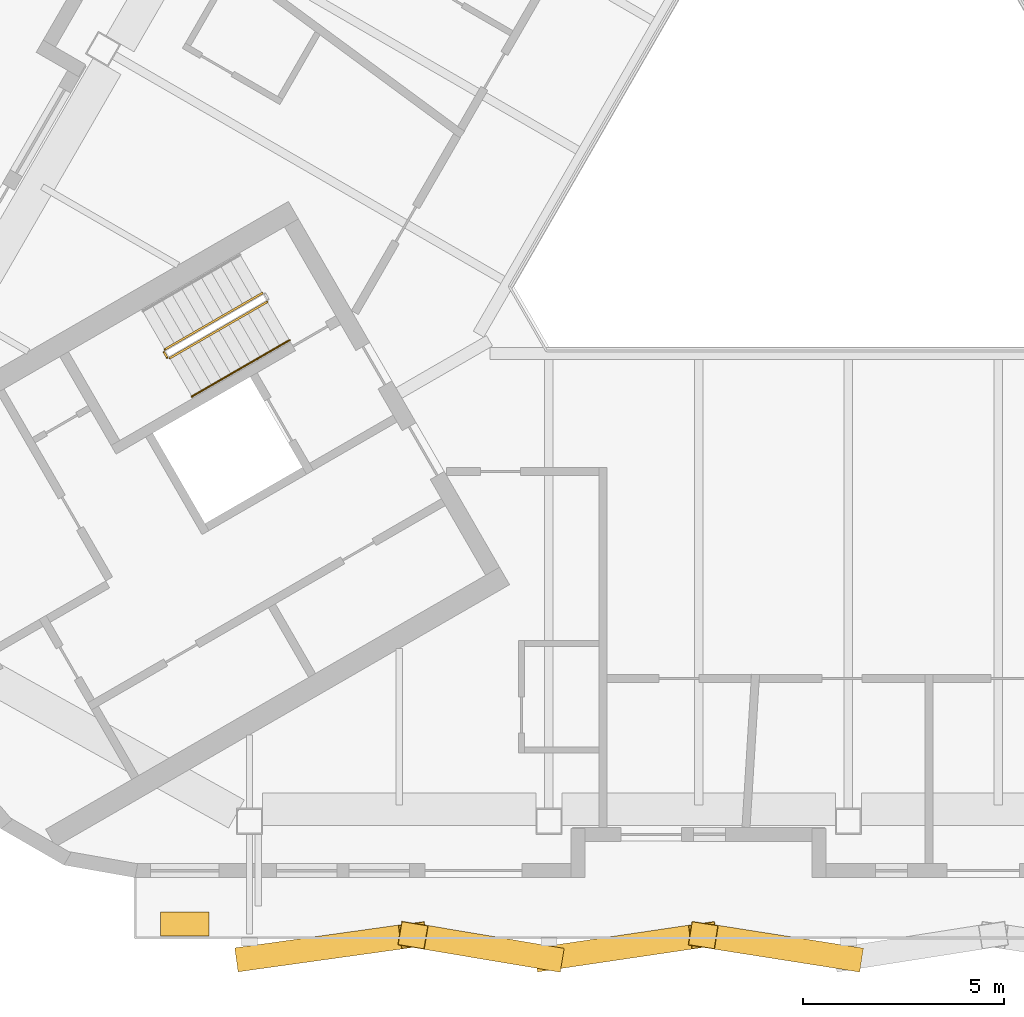
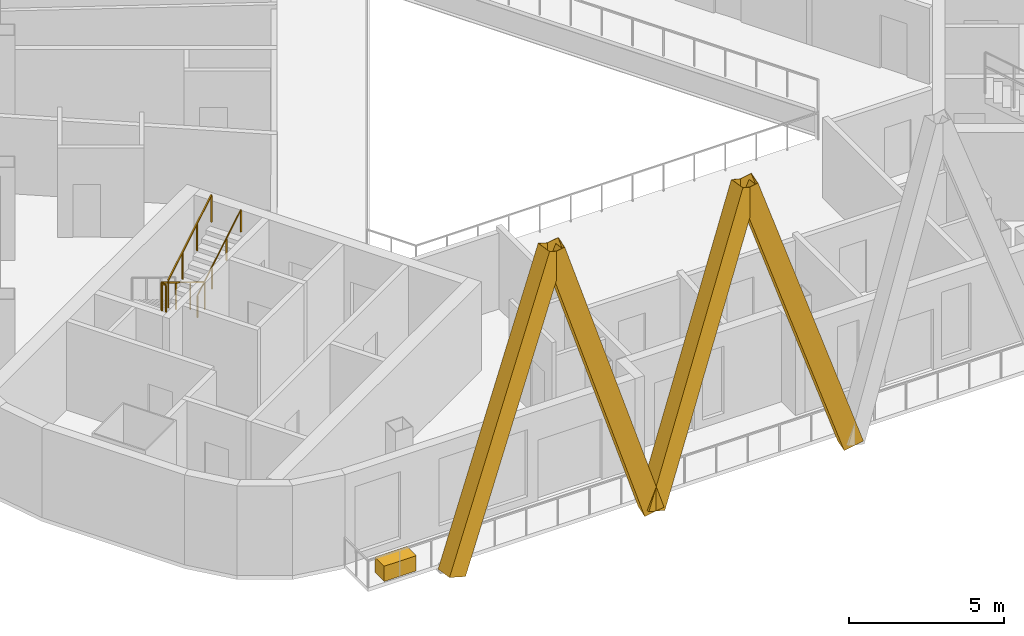
# One storey, part 9 of 14: 4 railings, 4 shading devices, 1 covering.
"""IFC4 building model written with IfcOpenShell, lengths in metres."""

from ifc_helpers import new_model, si_unit, direction, frame, origin, origin_2d, place, context, subcontext, project, spatial, rectangle, hollow_rectangle, circle, extrude, material, material_profile, profile_set, type_object, element, save


model = new_model("IFC4")

# Units and contexts
model_context = context("Model", 3, precision=1e-05, world=origin(), true_north=direction((0.0, 1.0)))
body_context = subcontext(model_context, "Body", "Model", "MODEL_VIEW")
ifc_project = project(units=[si_unit("LENGTHUNIT", "METRE"), si_unit("AREAUNIT", "SQUARE_METRE"), si_unit("VOLUMEUNIT", "CUBIC_METRE"), si_unit("PLANEANGLEUNIT", "RADIAN"), si_unit("MASSUNIT", "GRAM", prefix="KILO")], contexts=[model_context])

# Site, building, storey
site_placement = place(None, origin())
site = spatial("IfcSite", under=ifc_project, at=site_placement, CompositionType="ELEMENT")
building_placement = place(site_placement, origin())
building = spatial("IfcBuilding", under=site, at=building_placement, Name="Apuvela Tower Hotel", CompositionType="ELEMENT")
storey_placement = place(building_placement, frame((0.0, 0.0, 268.89990234375)))
storey = spatial("IfcBuildingStorey", under=building, at=storey_placement, Name="L66", CompositionType="ELEMENT", Elevation=268.89990234375)

# Railings
ifc_material_1 = material(Name="Steel S275 balustrade", Category="steel")
railing_type_1 = type_object("IfcRailingType", Name="COR-GUARD-1100", PredefinedType="GUARDRAIL", material=ifc_material_1)
railing_1_placement = place(storey_placement, frame((-14.569091796875, -3.9658203125, 0.168212890625)))
element("IfcRailing", 1, at=railing_1_placement, inside=storey, type_object=railing_type_1, Name="L66 ST2 stair guard 1", PredefinedType="GUARDRAIL", context=body_context, shape_type="SweptSolid", body=[
    extrude(rectangle(XDim=0.048095703125, YDim=0.048095703125, at=origin_2d()), frame((0.0, 0.0, 1.076171875), z_axis=(-0.742390482028, -0.42860119049, 0.514934356695), x_axis=(0.49998411664, -0.866034573852, 0.0)), (0.0, 0.0, 1.0), 3.26611328125),
    extrude(rectangle(XDim=0.0419921875, YDim=0.0419921875, at=origin_2d()), origin(), (0.0, 0.0, 1.0), 1.052001953125),
    extrude(rectangle(XDim=0.0419921875, YDim=0.0419921875, at=origin_2d()), frame((-0.808349609375, -0.466552734375, 0.560546875)), (0.0, 0.0, 1.0), 1.052001953125),
    extrude(rectangle(XDim=0.0419921875, YDim=0.0419921875, at=origin_2d()), frame((-1.616455078125, -0.933349609375, 1.121337890625)), (0.0, 0.0, 1.0), 1.052001953125),
    extrude(rectangle(XDim=0.0419921875, YDim=0.0419921875, at=origin_2d()), frame((-2.4248046875, -1.39990234375, 1.681884765625)), (0.0, 0.0, 1.0), 1.052001953125),
])
railing_2_placement = place(storey_placement, frame((-17.01220703125, -5.43408203125, 1.85009765625)))
element("IfcRailing", 2, at=railing_2_placement, inside=storey, type_object=railing_type_1, Name="L66 ST2 stair guard 2", PredefinedType="GUARDRAIL", context=body_context, shape_type="SweptSolid", body=[
    extrude(rectangle(XDim=0.048095703125, YDim=0.048095703125, at=origin_2d()), frame((0.0, 0.0, 1.076171875), z_axis=(0.499816412211, -0.866131372301, 0.0), x_axis=(0.866131372301, 0.499816412211, 0.0)), (0.0, 0.0, 1.0), 0.14990234375),
    extrude(rectangle(XDim=0.0419921875, YDim=0.0419921875, at=origin_2d()), origin(), (0.0, 0.0, 1.0), 1.052001953125),
    extrude(rectangle(XDim=0.0419921875, YDim=0.0419921875, at=origin_2d()), frame((0.074951171875, -0.1298828125, 0.0)), (0.0, 0.0, 1.0), 1.052001953125),
])
railing_3_placement = place(storey_placement, frame((-16.868896484375, -5.582275390625, 2.018310546875)))
element("IfcRailing", 3, at=railing_3_placement, inside=storey, type_object=railing_type_1, Name="L66 ST2 stair guard 3", PredefinedType="GUARDRAIL", context=body_context, shape_type="SweptSolid", body=[
    extrude(rectangle(XDim=0.048095703125, YDim=0.048095703125, at=origin_2d()), frame((0.0, 0.0, 1.076171875), z_axis=(0.742390482028, 0.42860119049, 0.514934356695), x_axis=(-0.49998411664, 0.866034573852, 0.0)), (0.0, 0.0, 1.0), 3.26611328125),
    extrude(rectangle(XDim=0.0419921875, YDim=0.0419921875, at=origin_2d()), origin(), (0.0, 0.0, 1.0), 1.052001953125),
    extrude(rectangle(XDim=0.0419921875, YDim=0.0419921875, at=origin_2d()), frame((0.808349609375, 0.466552734375, 0.560546875)), (0.0, 0.0, 1.0), 1.052001953125),
    extrude(rectangle(XDim=0.0419921875, YDim=0.0419921875, at=origin_2d()), frame((1.616455078125, 0.933349609375, 1.121337890625)), (0.0, 0.0, 1.0), 1.052001953125),
    extrude(rectangle(XDim=0.0419921875, YDim=0.0419921875, at=origin_2d()), frame((2.4248046875, 1.39990234375, 1.681884765625)), (0.0, 0.0, 1.0), 1.052001953125),
])
ifc_material_2 = material(Name="Stainless steel 316 handrail", Category="steel")
railing_type_2 = type_object("IfcRailingType", Name="COR-HANDRAIL-900", PredefinedType="HANDRAIL", material=ifc_material_2)
railing_4_placement = place(storey_placement, frame((-16.31884765625, -6.534912109375, 2.018310546875)))
element("IfcRailing", 4, at=railing_4_placement, inside=storey, type_object=railing_type_2, Name="L66 ST2 stair handrail 2", PredefinedType="HANDRAIL", context=body_context, shape_type="SweptSolid", body=[
    extrude(circle(Radius=0.02392578125, at=origin_2d()), frame((0.0, 0.0, 0.8759765625), z_axis=(0.742390482028, 0.42860119049, 0.514934356695), x_axis=(-0.49998411664, 0.866034573852, 0.0)), (0.0, 0.0, 1.0), 3.26611328125),
    extrude(rectangle(XDim=0.0419921875, YDim=0.0419921875, at=origin_2d()), origin(), (0.0, 0.0, 1.0), 0.851806640625),
    extrude(rectangle(XDim=0.0419921875, YDim=0.0419921875, at=origin_2d()), frame((0.808349609375, 0.466552734375, 0.560546875)), (0.0, 0.0, 1.0), 0.851806640625),
    extrude(rectangle(XDim=0.0419921875, YDim=0.0419921875, at=origin_2d()), frame((1.616455078125, 0.933349609375, 1.121337890625)), (0.0, 0.0, 1.0), 0.851806640625),
    extrude(rectangle(XDim=0.0419921875, YDim=0.0419921875, at=origin_2d()), frame((2.4248046875, 1.39990234375, 1.681884765625)), (0.0, 0.0, 1.0), 0.851806640625),
])

# Shading devices
ifc_material_3 = material(Name="Aluminium 6063-T6, black anodised", Category="aluminium")
ifc_material_profile = material_profile(ifc_material_3, hollow_rectangle(XDim=0.60009765625, YDim=0.699951171875, WallThickness=0.011962890625, at=origin_2d()), Name="AL BOX 700x600x12")
ifc_profile_set = profile_set([ifc_material_profile], Name="Aluminium 6063-T6, black anodised")
shading_device_type = type_object("IfcShadingDeviceType", Name="ENV-FIN-700x600", PredefinedType="USERDEFINED", material=ifc_profile_set)
shading_device_1_placement = place(storey_placement, frame((-14.88720703125, -20.495849609375, -0.099853515625), z_axis=(0.343431703445, 0.047924061218, 0.937954129702), x_axis=(-0.138205532075, 0.990403569715, 0.0)))
element("IfcShadingDevice", 5, at=shading_device_1_placement, inside=storey, type_object=shading_device_type, Name="Lattice fin S545", ObjectType="FIN", PredefinedType="USERDEFINED", context=body_context, shape_type="SweptSolid", body=[
    extrude(hollow_rectangle(XDim=0.60009765625, YDim=0.699951171875, WallThickness=0.011962890625, at=origin_2d()), origin(), (0.0, 0.0, 1.0), 11.834228515625),
])
shading_device_2_placement = place(storey_placement, frame((-7.443603515625, -20.495849609375, -0.099853515625), z_axis=(-0.29090724775, 0.048820801656, 0.95550484171), x_axis=(-0.165508034258, -0.986208441759, 0.0)))
element("IfcShadingDevice", 6, at=shading_device_2_placement, inside=storey, type_object=shading_device_type, Name="Lattice fin S546", ObjectType="FIN", PredefinedType="USERDEFINED", context=body_context, shape_type="SweptSolid", body=[
    extrude(hollow_rectangle(XDim=0.60009765625, YDim=0.699951171875, WallThickness=0.011962890625, at=origin_2d()), origin(), (0.0, 0.0, 1.0), 11.61669921875),
])
shading_device_3_placement = place(storey_placement, frame((-7.443603515625, -20.495849609375, -0.099853515625), z_axis=(0.326249792914, 0.048235633206, 0.944052115252), x_axis=(-0.146258864264, 0.989246351838, 0.0)))
element("IfcShadingDevice", 7, at=shading_device_3_placement, inside=storey, type_object=shading_device_type, Name="Lattice fin S547", ObjectType="FIN", PredefinedType="USERDEFINED", context=body_context, shape_type="SweptSolid", body=[
    extrude(hollow_rectangle(XDim=0.60009765625, YDim=0.699951171875, WallThickness=0.011962890625, at=origin_2d()), origin(), (0.0, 0.0, 1.0), 11.757568359375),
])
shading_device_4_placement = place(storey_placement, frame((0.0, -20.495849609375, -0.099853515625), z_axis=(-0.308738346495, 0.048534829729, 0.949907892223), x_axis=(-0.155296550327, -0.987867896764, 0.0)))
element("IfcShadingDevice", 8, at=shading_device_4_placement, inside=storey, type_object=shading_device_type, Name="Lattice fin S548", ObjectType="FIN", PredefinedType="USERDEFINED", context=body_context, shape_type="SweptSolid", body=[
    extrude(hollow_rectangle(XDim=0.60009765625, YDim=0.699951171875, WallThickness=0.011962890625, at=origin_2d()), origin(), (0.0, 0.0, 1.0), 11.685302734375),
])

# Covering
ifc_material_4 = material(Name="Planting substrate and soil, planted")
covering_type = type_object("IfcCoveringType", Name="ENV-PLANTER-1200x600", PredefinedType="USERDEFINED", material=ifc_material_4)
covering_placement = place(storey_placement, frame((-16.498291015625, -19.645751953125, 0.0), z_axis=(0.0, 0.0, 1.0), x_axis=(1.0, 0.0, 0.0)))
element("IfcCovering", 9, at=covering_placement, inside=storey, type_object=covering_type, Name="Planter S1", ObjectType="PLANTER", PredefinedType="USERDEFINED", context=body_context, shape_type="SweptSolid", body=[
    extrude(rectangle(XDim=1.199951171875, YDim=0.60009765625, at=origin_2d()), origin(), (0.0, 0.0, 1.0), 0.60009765625),
])

save(model, "model.ifc")
